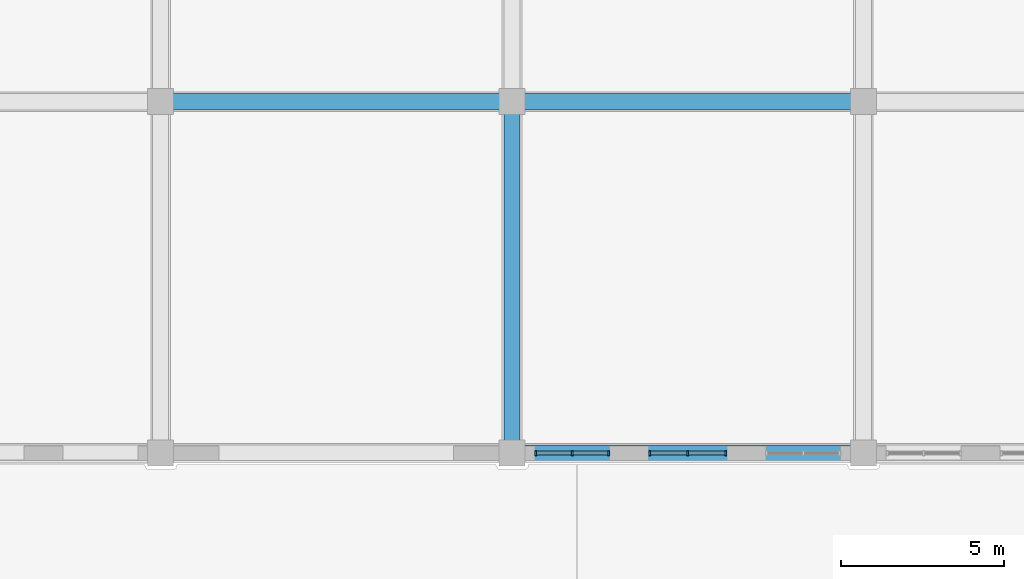
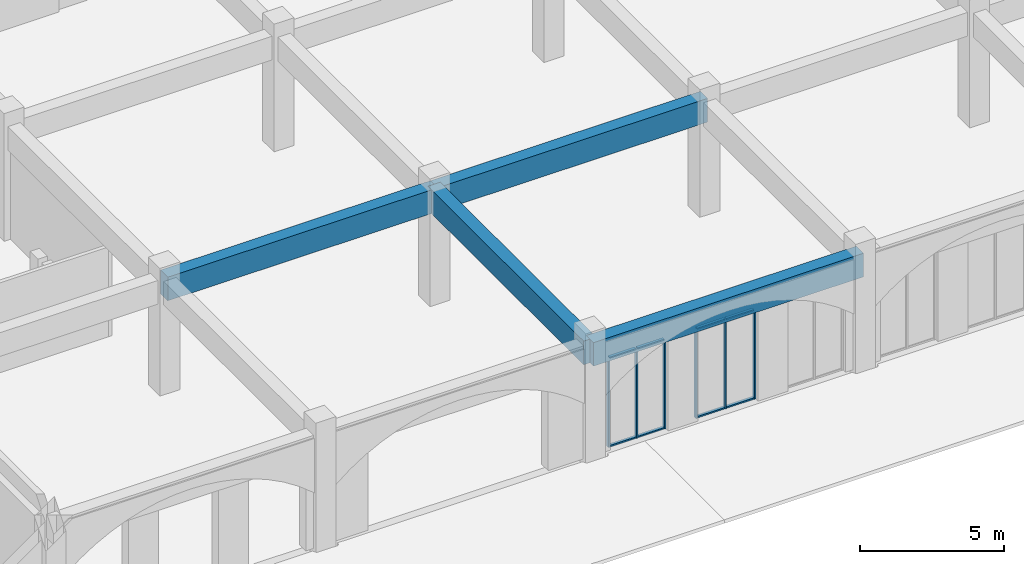
# One storey, part 11 of 101: 14 members, 4 beams, 2 elements without a shape of their own.
"""IFC4 building model written with IfcOpenShell, lengths in metres."""

from ifc_helpers import new_model, si_unit, direction, frame, origin, origin_2d, place, context, subcontext, project, spatial, rectangle, extrude, material, layer, layer_set, material_profile, profile_set, type_object, element, aggregate, save


model = new_model("IFC4")

# Units and contexts
model_context = context("Model", 3, precision=1e-05, world=origin(), true_north=direction((0.0, 1.0)))
body_context = subcontext(model_context, "Body", "Model", "MODEL_VIEW")
ifc_project = project(units=[si_unit("LENGTHUNIT", "METRE"), si_unit("AREAUNIT", "SQUARE_METRE"), si_unit("VOLUMEUNIT", "CUBIC_METRE"), si_unit("PLANEANGLEUNIT", "RADIAN"), si_unit("MASSUNIT", "GRAM", prefix="KILO")], contexts=[model_context])

# Site, building, storey
site_placement = place(None, origin())
site = spatial("IfcSite", under=ifc_project, at=site_placement, CompositionType="ELEMENT")
building_placement = place(site_placement, origin())
building = spatial("IfcBuilding", under=site, at=building_placement, Name="Magnolia Steps Interchange", CompositionType="ELEMENT")
storey_placement = place(building_placement, frame((0.0, 0.0, -5.39990234375)))
storey = spatial("IfcBuildingStorey", under=building, at=storey_placement, Name="B1", CompositionType="ELEMENT", Elevation=-5.39990234375)

# Curtain wall, members
ifc_material_1 = material(Name="Powder-coated aluminium and glass", Category="aluminium")
ifc_layer = layer(ifc_material_1, 0.1201171875)
ifc_layer_set = layer_set([ifc_layer], Name="Shopfront curtain wall")
curtain_wall_type = type_object("IfcCurtainWallType", Name="Shopfront curtain wall", PredefinedType="NOTDEFINED", material=ifc_layer_set)
curtain_wall_1_placement = place(storey_placement, origin())
curtain_wall_1 = element("IfcCurtainWall", 1, at=curtain_wall_1_placement, inside=storey, type_object=curtain_wall_type, Name="Street arcade shopfront 10", PredefinedType="NOTDEFINED")
ifc_material_2 = material(Name="White powder-coated aluminium", Category="aluminium")
ifc_material_profile_1 = material_profile(ifc_material_2, rectangle(XDim=0.06005859375, YDim=0.14990234375, at=origin_2d()), Name="Aluminium mullion 60 x 150")
ifc_profile_set_1 = profile_set([ifc_material_profile_1], Name="White powder-coated aluminium")
member_type_1 = type_object("IfcMemberType", Name="Aluminium mullion 60 x 150", PredefinedType="MULLION", material=ifc_profile_set_1)
member_1_placement = place(storey_placement, frame((64.72998046875, 10.0, 0.0), z_axis=(0.0, 0.0, 1.0), x_axis=(1.0, 0.0, 0.0)))
member_1 = element("IfcMember", 2, at=member_1_placement, type_object=member_type_1, Name="CW3 mullion 1", PredefinedType="MULLION", context=body_context, shape_type="SweptSolid", body=[
    extrude(rectangle(XDim=0.06005859375, YDim=0.14990234375, at=origin_2d()), origin(), (0.0, 0.0, 1.0), 3.7998046875),
])
member_2_placement = place(storey_placement, frame((65.85009765625, 10.0, 0.0), z_axis=(0.0, 0.0, 1.0), x_axis=(1.0, 0.0, 0.0)))
member_2 = element("IfcMember", 3, at=member_2_placement, type_object=member_type_1, Name="CW3 mullion 2", PredefinedType="MULLION", context=body_context, shape_type="SweptSolid", body=[
    extrude(rectangle(XDim=0.06005859375, YDim=0.14990234375, at=origin_2d()), origin(), (0.0, 0.0, 1.0), 3.7998046875),
])
member_3_placement = place(storey_placement, frame((66.969970703125, 10.0, 0.0), z_axis=(0.0, 0.0, 1.0), x_axis=(1.0, 0.0, 0.0)))
member_3 = element("IfcMember", 4, at=member_3_placement, type_object=member_type_1, Name="CW3 mullion 3", PredefinedType="MULLION", context=body_context, shape_type="SweptSolid", body=[
    extrude(rectangle(XDim=0.06005859375, YDim=0.14990234375, at=origin_2d()), origin(), (0.0, 0.0, 1.0), 3.7998046875),
])

curtain_wall_2_placement = place(storey_placement, origin())
curtain_wall_2 = element("IfcCurtainWall", 5, at=curtain_wall_2_placement, inside=storey, type_object=curtain_wall_type, Name="Street arcade shopfront 12", PredefinedType="NOTDEFINED")
member_4_placement = place(storey_placement, frame((68.22998046875, 10.0, 0.0), z_axis=(0.0, 0.0, 1.0), x_axis=(1.0, 0.0, 0.0)))
member_4 = element("IfcMember", 6, at=member_4_placement, type_object=member_type_1, Name="CW3 mullion 1", PredefinedType="MULLION", context=body_context, shape_type="SweptSolid", body=[
    extrude(rectangle(XDim=0.06005859375, YDim=0.14990234375, at=origin_2d()), origin(), (0.0, 0.0, 1.0), 3.7998046875),
])
member_5_placement = place(storey_placement, frame((69.39990234375, 10.0, 0.0), z_axis=(0.0, 0.0, 1.0), x_axis=(1.0, 0.0, 0.0)))
member_5 = element("IfcMember", 7, at=member_5_placement, type_object=member_type_1, Name="CW3 mullion 2", PredefinedType="MULLION", context=body_context, shape_type="SweptSolid", body=[
    extrude(rectangle(XDim=0.06005859375, YDim=0.14990234375, at=origin_2d()), origin(), (0.0, 0.0, 1.0), 3.7998046875),
])
member_6_placement = place(storey_placement, frame((70.570068359375, 10.0, 0.0), z_axis=(0.0, 0.0, 1.0), x_axis=(1.0, 0.0, 0.0)))
member_6 = element("IfcMember", 8, at=member_6_placement, type_object=member_type_1, Name="CW3 mullion 3", PredefinedType="MULLION", context=body_context, shape_type="SweptSolid", body=[
    extrude(rectangle(XDim=0.06005859375, YDim=0.14990234375, at=origin_2d()), origin(), (0.0, 0.0, 1.0), 3.7998046875),
])

# Member
ifc_material_3 = material(Name="White powder-coated aluminium", Category="aluminium")
ifc_material_profile_2 = material_profile(ifc_material_3, rectangle(XDim=0.06005859375, YDim=0.1201171875, at=origin_2d()), Name="Aluminium transom 60 x 120")
ifc_profile_set_2 = profile_set([ifc_material_profile_2], Name="White powder-coated aluminium")
member_type_2 = type_object("IfcMemberType", Name="Aluminium transom 60 x 120", PredefinedType="USERDEFINED", material=ifc_profile_set_2)
member_7_placement = place(storey_placement, frame((64.760009765625, 10.0, 0.02978515625), z_axis=(1.0, 0.0, 0.0), x_axis=(0.0, 0.0, 1.0)))
member_7 = element("IfcMember", 9, at=member_7_placement, type_object=member_type_2, Name="CW3 transom 1.1", ObjectType="TRANSOM", PredefinedType="USERDEFINED", context=body_context, shape_type="SweptSolid", body=[
    extrude(rectangle(XDim=0.06005859375, YDim=0.1201171875, at=origin_2d()), origin(), (0.0, 0.0, 1.0), 1.06005859375),
])

member_8_placement = place(storey_placement, frame((64.760009765625, 10.0, 3.77001953125), z_axis=(1.0, 0.0, 0.0), x_axis=(0.0, 0.0, 1.0)))
member_8 = element("IfcMember", 10, at=member_8_placement, type_object=member_type_2, Name="CW3 transom 1.2", ObjectType="TRANSOM", PredefinedType="USERDEFINED", context=body_context, shape_type="SweptSolid", body=[
    extrude(rectangle(XDim=0.06005859375, YDim=0.1201171875, at=origin_2d()), origin(), (0.0, 0.0, 1.0), 1.06005859375),
])

member_9_placement = place(storey_placement, frame((65.8798828125, 10.0, 0.02978515625), z_axis=(1.0, 0.0, 0.0), x_axis=(0.0, 0.0, 1.0)))
member_9 = element("IfcMember", 11, at=member_9_placement, type_object=member_type_2, Name="CW3 transom 2.1", ObjectType="TRANSOM", PredefinedType="USERDEFINED", context=body_context, shape_type="SweptSolid", body=[
    extrude(rectangle(XDim=0.06005859375, YDim=0.1201171875, at=origin_2d()), origin(), (0.0, 0.0, 1.0), 1.06005859375),
])

member_10_placement = place(storey_placement, frame((65.8798828125, 10.0, 3.77001953125), z_axis=(1.0, 0.0, 0.0), x_axis=(0.0, 0.0, 1.0)))
member_10 = element("IfcMember", 12, at=member_10_placement, type_object=member_type_2, Name="CW3 transom 2.2", ObjectType="TRANSOM", PredefinedType="USERDEFINED", context=body_context, shape_type="SweptSolid", body=[
    extrude(rectangle(XDim=0.06005859375, YDim=0.1201171875, at=origin_2d()), origin(), (0.0, 0.0, 1.0), 1.06005859375),
])

aggregate(curtain_wall_1, [member_1, member_2, member_3, member_7, member_8, member_9, member_10])

member_11_placement = place(storey_placement, frame((68.260009765625, 10.0, 0.02978515625), z_axis=(1.0, 0.0, 0.0), x_axis=(0.0, 0.0, 1.0)))
member_11 = element("IfcMember", 13, at=member_11_placement, type_object=member_type_2, Name="CW3 transom 1.1", ObjectType="TRANSOM", PredefinedType="USERDEFINED", context=body_context, shape_type="SweptSolid", body=[
    extrude(rectangle(XDim=0.06005859375, YDim=0.1201171875, at=origin_2d()), origin(), (0.0, 0.0, 1.0), 1.110107421875),
])

member_12_placement = place(storey_placement, frame((68.260009765625, 10.0, 3.77001953125), z_axis=(1.0, 0.0, 0.0), x_axis=(0.0, 0.0, 1.0)))
member_12 = element("IfcMember", 14, at=member_12_placement, type_object=member_type_2, Name="CW3 transom 1.2", ObjectType="TRANSOM", PredefinedType="USERDEFINED", context=body_context, shape_type="SweptSolid", body=[
    extrude(rectangle(XDim=0.06005859375, YDim=0.1201171875, at=origin_2d()), origin(), (0.0, 0.0, 1.0), 1.110107421875),
])

member_13_placement = place(storey_placement, frame((69.429931640625, 10.0, 0.02978515625), z_axis=(1.0, 0.0, 0.0), x_axis=(0.0, 0.0, 1.0)))
member_13 = element("IfcMember", 15, at=member_13_placement, type_object=member_type_2, Name="CW3 transom 2.1", ObjectType="TRANSOM", PredefinedType="USERDEFINED", context=body_context, shape_type="SweptSolid", body=[
    extrude(rectangle(XDim=0.06005859375, YDim=0.1201171875, at=origin_2d()), origin(), (0.0, 0.0, 1.0), 1.110107421875),
])

member_14_placement = place(storey_placement, frame((69.429931640625, 10.0, 3.77001953125), z_axis=(1.0, 0.0, 0.0), x_axis=(0.0, 0.0, 1.0)))
member_14 = element("IfcMember", 16, at=member_14_placement, type_object=member_type_2, Name="CW3 transom 2.2", ObjectType="TRANSOM", PredefinedType="USERDEFINED", context=body_context, shape_type="SweptSolid", body=[
    extrude(rectangle(XDim=0.06005859375, YDim=0.1201171875, at=origin_2d()), origin(), (0.0, 0.0, 1.0), 1.110107421875),
])

aggregate(curtain_wall_2, [member_4, member_5, member_6, member_11, member_12, member_13, member_14])

# Beams
ifc_material_4 = material(Name="Concrete C40", Category="concrete")
ifc_material_profile_3 = material_profile(ifc_material_4, rectangle(XDim=0.5, YDim=1.0, at=origin_2d()), Name="RC500x1000")
ifc_profile_set_3 = profile_set([ifc_material_profile_3], Name="Concrete C40")
beam_type = type_object("IfcBeamType", Name="RC beam 500x1000", PredefinedType="BEAM", material=ifc_profile_set_3)
for number, where, z_axis, x_axis, name in (
    (17, (64.0, 10.0, 4.2998046875), (1.0, 0.0, 0.0), (0.0, 1.0, 0.0), "Beam L00 A 6-7"),
    (18, (53.199951171875, 20.800048828125, 4.2998046875), (1.0, 0.0, 0.0), (0.0, 1.0, 0.0), "Beam L00 B 5-6"),
    (19, (64.0, 20.800048828125, 4.2998046875), (1.0, 0.0, 0.0), (0.0, 1.0, 0.0), "Beam L00 B 6-7"),
    (20, (64.0, 10.0, 4.2998046875), (0.0, 1.0, 0.0), (-1.0, 0.0, 0.0), "Beam L00 6 A-B"),
):
    element("IfcBeam", number, at=place(storey_placement, frame(where, z_axis=z_axis, x_axis=x_axis)), inside=storey, type_object=beam_type, Name=name, PredefinedType="BEAM", context=body_context, shape_type="SweptSolid", body=[
        extrude(rectangle(XDim=0.5, YDim=1.0, at=origin_2d()), origin(), (0.0, 0.0, 1.0), 10.800048828125),
    ])

save(model, "model.ifc")
